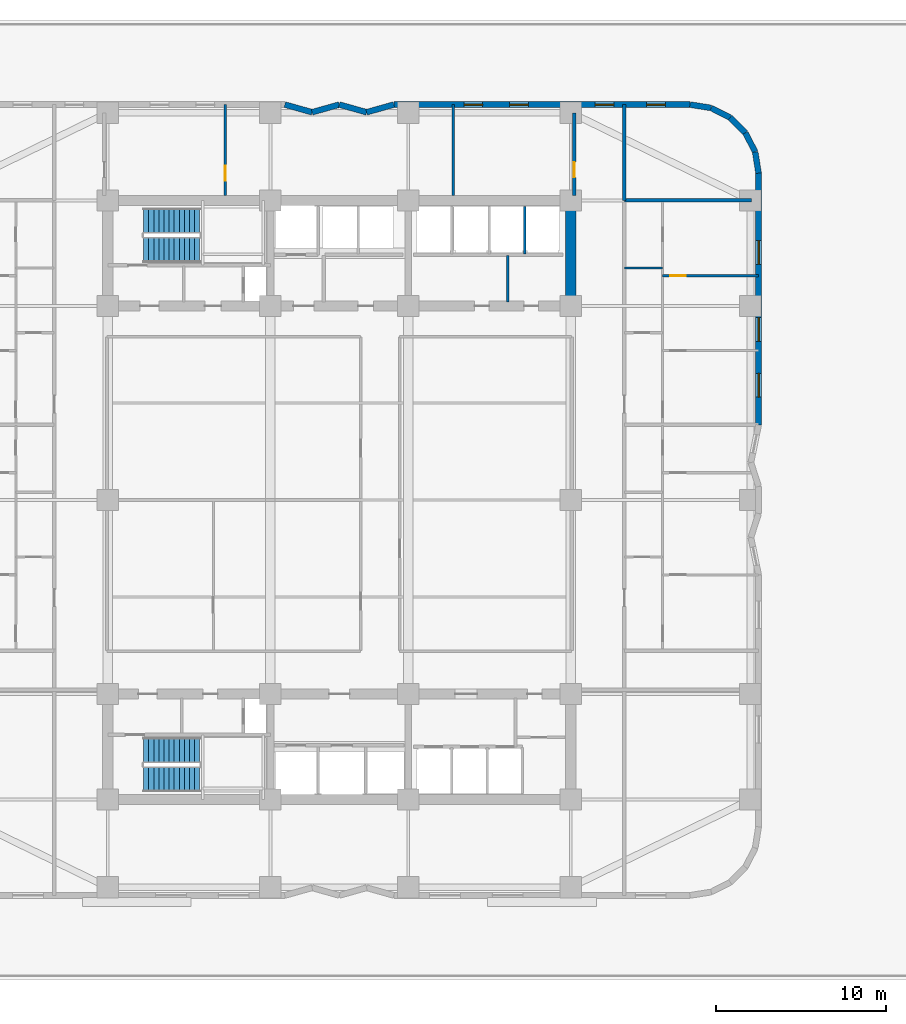
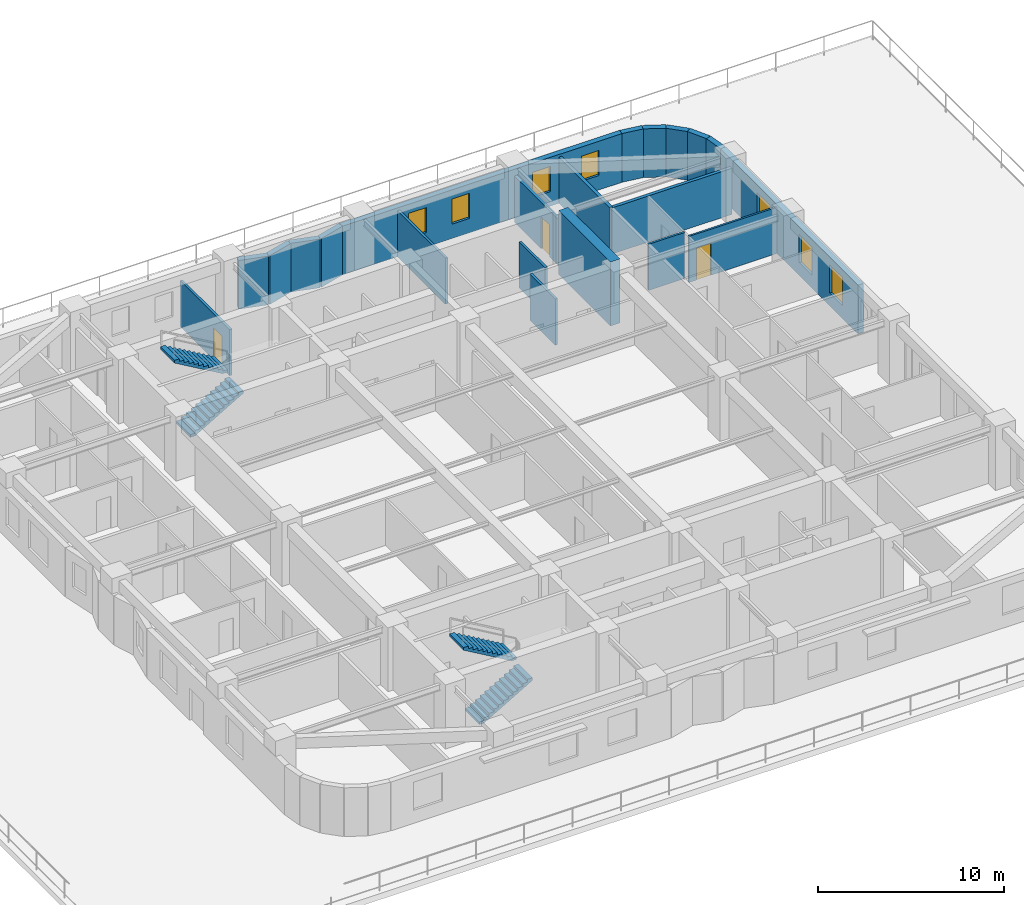
# One storey, part 7 of 11: 21 walls, 7 windows, 4 stair flights, 3 doors, 10 openings, 2 elements without a shape of their own.
"""IFC4 building model written with IfcOpenShell, lengths in metres."""

from ifc_helpers import new_model, si_unit, direction, frame, frame_2d, origin, place, context, subcontext, project, spatial, polyline, rectangle, outline, extrude, material, layer, layer_set, type_object, element, fill, aggregate, save


model = new_model("IFC4")

# Units and contexts
model_context = context("Model", 3, precision=1e-05, world=origin(), true_north=direction((0.0, 1.0)))
body_context = subcontext(model_context, "Body", "Model", "MODEL_VIEW")
ifc_project = project(units=[si_unit("LENGTHUNIT", "METRE"), si_unit("AREAUNIT", "SQUARE_METRE"), si_unit("VOLUMEUNIT", "CUBIC_METRE"), si_unit("PLANEANGLEUNIT", "RADIAN"), si_unit("MASSUNIT", "GRAM", prefix="KILO")], contexts=[model_context])

# Site, building, storey
site_placement = place(None, origin())
site = spatial("IfcSite", under=ifc_project, at=site_placement, CompositionType="ELEMENT")
building_placement = place(site_placement, origin())
building = spatial("IfcBuilding", under=site, at=building_placement, Name="Svetorya Sky Lyceum", CompositionType="ELEMENT")
storey_placement = place(building_placement, frame((0.0, 0.0, 24.60009765625)))
storey = spatial("IfcBuildingStorey", under=building, at=storey_placement, Name="L05", CompositionType="ELEMENT", Elevation=24.60009765625)

# Wall
ifc_material_1 = material(Name="Concrete C60/75", Category="concrete")
ifc_layer_1 = layer(ifc_material_1, 0.60009765625)
ifc_layer_set_1 = layer_set([ifc_layer_1], Name="Concrete C60/75")
wall_type_1 = type_object("IfcWallType", Name="WL-CORE-600", PredefinedType="SHEAR", material=ifc_layer_set_1)
wall_1_placement = place(storey_placement, frame((52.800048828125, 39.89990234375, 0.0), z_axis=(0.0, 0.0, 1.0), x_axis=(0.0, 1.0, 0.0)))
element("IfcWall", 1, at=wall_1_placement, inside=storey, type_object=wall_type_1, Name="L05 NC East Core Shear Wall", PredefinedType="SHEAR", context=body_context, shape_type="SweptSolid", body=[
    extrude(rectangle(XDim=5.60009765625, YDim=0.60009765625, at=frame_2d((2.800048828125, 0.0))), origin(), (0.0, 0.0, 1.0), 4.199951171875),
])

# Wall, openings, windows
ifc_material_2 = material(Name="Putilovo limestone rainscreen on autoclaved cellular masonry", Category="masonry")
ifc_layer_2 = layer(ifc_material_2, 0.340087890625)
ifc_layer_set_2 = layer_set([ifc_layer_2], Name="Putilovo limestone rainscreen on autoclaved cellular masonry")
wall_type_2 = type_object("IfcWallType", Name="WL-EXT-340", PredefinedType="SOLIDWALL", material=ifc_layer_set_2)
wall_2_placement = place(storey_placement, frame((63.830078125, 32.60009765625, 0.0), z_axis=(0.0, 0.0, 1.0), x_axis=(0.0, 1.0, 0.0)))
wall_2 = element("IfcWall", 2, at=wall_2_placement, inside=storey, type_object=wall_type_2, Name="L05 Limestone Exterior Wall 23M", PredefinedType="SOLIDWALL", context=body_context, shape_type="SweptSolid", body=[
    extrude(rectangle(XDim=14.7998046875, YDim=0.340087890625, at=frame_2d((7.39990234375, 0.0))), origin(), (0.0, 0.0, 1.0), 3.199951171875),
])
opening_1_placement = place(wall_2_placement, frame((1.637451171875, 0.0, 0.85009765625)))
opening_1 = element("IfcOpeningElement", 3, at=opening_1_placement, cuts=wall_2, Name="Opening W-R2", PredefinedType="OPENING", context=body_context, shape_type="SweptSolid", body=[
    extrude(rectangle(XDim=1.39990234375, YDim=1.85009765625, at=frame_2d((0.699951171875, 0.925048828125))), frame((0.0, 0.179931640625, 0.0), z_axis=(0.0, -1.0, 0.0), x_axis=(1.0, 0.0, 0.0)), (0.0, 0.0, 1.0), 0.360107421875),
])
opening_2_placement = place(wall_2_placement, frame((4.919921875, 0.0, 0.85009765625)))
opening_2 = element("IfcOpeningElement", 4, at=opening_2_placement, cuts=wall_2, Name="Opening W-R2", PredefinedType="OPENING", context=body_context, shape_type="SweptSolid", body=[
    extrude(rectangle(XDim=1.39990234375, YDim=1.85009765625, at=frame_2d((0.699951171875, 0.925048828125))), frame((0.0, 0.179931640625, 0.0), z_axis=(0.0, -1.0, 0.0), x_axis=(1.0, 0.0, 0.0)), (0.0, 0.0, 1.0), 0.360107421875),
])
opening_3_placement = place(wall_2_placement, frame((9.4375, 0.0, 0.85009765625)))
opening_3 = element("IfcOpeningElement", 5, at=opening_3_placement, cuts=wall_2, Name="Opening W-R2", PredefinedType="OPENING", context=body_context, shape_type="SweptSolid", body=[
    extrude(rectangle(XDim=1.39990234375, YDim=1.85009765625, at=frame_2d((0.699951171875, 0.925048828125))), frame((0.0, 0.179931640625, 0.0), z_axis=(0.0, -1.0, 0.0), x_axis=(1.0, 0.0, 0.0)), (0.0, 0.0, 1.0), 0.360107421875),
])
ifc_material_3 = material(Name="Thermally broken aluminium frame with triple low-E glazing", Category="aluminium")
window_type_1 = type_object("IfcWindowType", Name="WN-RES-140", PartitioningType="SINGLE_PANEL", PredefinedType="WINDOW", material=ifc_material_3)
window_1_placement = place(opening_1_placement, origin())
window_1 = element("IfcWindow", 6, at=window_1_placement, inside=storey, type_object=window_type_1, Name="L05 Facade Window W-R2.23M.1", OverallHeight=1.85009765625, OverallWidth=1.39990234375, PartitioningType="SINGLE_PANEL", PredefinedType="WINDOW", context=body_context, shape_type="SweptSolid", body=[
    extrude(rectangle(XDim=1.39990234375, YDim=1.85009765625, at=frame_2d((0.699951171875, 0.925048828125))), frame((0.0, 0.030029296875, 0.0), z_axis=(0.0, -1.0, 0.0), x_axis=(1.0, 0.0, 0.0)), (0.0, 0.0, 1.0), 0.06005859375),
])
fill(opening_1, window_1)
window_2_placement = place(opening_2_placement, origin())
window_2 = element("IfcWindow", 7, at=window_2_placement, inside=storey, type_object=window_type_1, Name="L05 Facade Window W-R2.23M.3", OverallHeight=1.85009765625, OverallWidth=1.39990234375, PartitioningType="SINGLE_PANEL", PredefinedType="WINDOW", context=body_context, shape_type="SweptSolid", body=[
    extrude(rectangle(XDim=1.39990234375, YDim=1.85009765625, at=frame_2d((0.699951171875, 0.925048828125))), frame((0.0, 0.030029296875, 0.0), z_axis=(0.0, -1.0, 0.0), x_axis=(1.0, 0.0, 0.0)), (0.0, 0.0, 1.0), 0.06005859375),
])
fill(opening_2, window_2)
window_3_placement = place(opening_3_placement, origin())
window_3 = element("IfcWindow", 8, at=window_3_placement, inside=storey, type_object=window_type_1, Name="L05 Facade Window W-R2.23M.2", OverallHeight=1.85009765625, OverallWidth=1.39990234375, PartitioningType="SINGLE_PANEL", PredefinedType="WINDOW", context=body_context, shape_type="SweptSolid", body=[
    extrude(rectangle(XDim=1.39990234375, YDim=1.85009765625, at=frame_2d((0.699951171875, 0.925048828125))), frame((0.0, 0.030029296875, 0.0), z_axis=(0.0, -1.0, 0.0), x_axis=(1.0, 0.0, 0.0)), (0.0, 0.0, 1.0), 0.06005859375),
])
fill(opening_3, window_3)

# Walls
for number, where, z_axis, x_axis, name in (
    (9, (63.830078125, 47.39990234375, 0.0), (0.0, 0.0, 1.0), (-0.15644975923, 0.987685918112, 0.0), "L05 Limestone Exterior Wall 24M"),
    (10, (63.6328125, 48.645263671875, 0.0), (0.0, 0.0, 1.0), (-0.454015689056, 0.890993689142, 0.0), "L05 Limestone Exterior Wall 25M"),
    (11, (63.060302734375, 49.768798828125, 0.0), (0.0, 0.0, 1.0), (-0.707106781187, 0.707106781187, 0.0), "L05 Limestone Exterior Wall 26M"),
):
    element("IfcWall", number, at=place(storey_placement, frame(where, z_axis=z_axis, x_axis=x_axis)), inside=storey, type_object=wall_type_2, Name=name, PredefinedType="SOLIDWALL", context=body_context, shape_type="SweptSolid", body=[
        extrude(rectangle(XDim=1.260986328125, YDim=0.340087890625, at=frame_2d((0.63037109375, 0.0))), origin(), (0.0, 0.0, 1.0), 3.199951171875),
    ])
for number, where, z_axis, x_axis, name in (
    (12, (62.168701171875, 50.660400390625, 0.0), (0.0, 0.0, 1.0), (-0.890953769915, 0.454094020963, 0.0), "L05 Limestone Exterior Wall 27M"),
    (13, (61.04541015625, 51.23291015625, 0.0), (0.0, 0.0, 1.0), (-0.98771582066, 0.156260864002, 0.0), "L05 Limestone Exterior Wall 28M"),
):
    element("IfcWall", number, at=place(storey_placement, frame(where, z_axis=z_axis, x_axis=x_axis)), inside=storey, type_object=wall_type_2, Name=name, PredefinedType="SOLIDWALL", context=body_context, shape_type="SweptSolid", body=[
        extrude(rectangle(XDim=1.2607421875, YDim=0.340087890625, at=frame_2d((0.63037109375, 0.0))), origin(), (0.0, 0.0, 1.0), 3.199951171875),
    ])

# Wall, openings, windows
wall_3_placement = place(storey_placement, frame((59.800048828125, 51.429931640625, 0.0), z_axis=(0.0, 0.0, 1.0), x_axis=(-1.0, 0.0, 0.0)))
wall_3 = element("IfcWall", 14, at=wall_3_placement, inside=storey, type_object=wall_type_2, Name="L05 Limestone Exterior Wall 29M", PredefinedType="SOLIDWALL", context=body_context, shape_type="SweptSolid", body=[
    extrude(rectangle(XDim=17.400146484375, YDim=0.340087890625, at=frame_2d((8.7001953125, 0.0))), origin(), (0.0, 0.0, 1.0), 3.199951171875),
])
opening_4_placement = place(wall_3_placement, frame((1.441650390625, 0.0, 0.949951171875)))
opening_4 = element("IfcOpeningElement", 15, at=opening_4_placement, cuts=wall_3, Name="Opening W-R3", PredefinedType="OPENING", context=body_context, shape_type="SweptSolid", body=[
    extrude(rectangle(XDim=1.10009765625, YDim=1.64990234375, at=frame_2d((0.550048828125, 0.824951171875))), frame((0.0, 0.179931640625, 0.0), z_axis=(0.0, -1.0, 0.0), x_axis=(1.0, 0.0, 0.0)), (0.0, 0.0, 1.0), 0.360107421875),
])
opening_5_placement = place(wall_3_placement, frame((4.47509765625, 0.0, 0.949951171875)))
opening_5 = element("IfcOpeningElement", 16, at=opening_5_placement, cuts=wall_3, Name="Opening W-R3", PredefinedType="OPENING", context=body_context, shape_type="SweptSolid", body=[
    extrude(rectangle(XDim=1.10009765625, YDim=1.64990234375, at=frame_2d((0.550048828125, 0.824951171875))), frame((0.0, 0.179931640625, 0.0), z_axis=(0.0, -1.0, 0.0), x_axis=(1.0, 0.0, 0.0)), (0.0, 0.0, 1.0), 0.360107421875),
])
opening_6_placement = place(wall_3_placement, frame((9.49169921875, 0.0, 0.949951171875)))
opening_6 = element("IfcOpeningElement", 17, at=opening_6_placement, cuts=wall_3, Name="Opening W-R3", PredefinedType="OPENING", context=body_context, shape_type="SweptSolid", body=[
    extrude(rectangle(XDim=1.10009765625, YDim=1.64990234375, at=frame_2d((0.550048828125, 0.824951171875))), frame((0.0, 0.179931640625, 0.0), z_axis=(0.0, -1.0, 0.0), x_axis=(1.0, 0.0, 0.0)), (0.0, 0.0, 1.0), 0.360107421875),
])
opening_7_placement = place(wall_3_placement, frame((12.175048828125, 0.0, 0.949951171875)))
opening_7 = element("IfcOpeningElement", 18, at=opening_7_placement, cuts=wall_3, Name="Opening W-R3", PredefinedType="OPENING", context=body_context, shape_type="SweptSolid", body=[
    extrude(rectangle(XDim=1.10009765625, YDim=1.64990234375, at=frame_2d((0.550048828125, 0.824951171875))), frame((0.0, 0.179931640625, 0.0), z_axis=(0.0, -1.0, 0.0), x_axis=(1.0, 0.0, 0.0)), (0.0, 0.0, 1.0), 0.360107421875),
])
window_type_2 = type_object("IfcWindowType", Name="WN-RES-110", PartitioningType="SINGLE_PANEL", PredefinedType="WINDOW", material=ifc_material_3)
window_4_placement = place(opening_4_placement, origin())
window_4 = element("IfcWindow", 19, at=window_4_placement, inside=storey, type_object=window_type_2, Name="L05 Facade Window W-R3.29M.1", OverallHeight=1.64990234375, OverallWidth=1.10009765625, PartitioningType="SINGLE_PANEL", PredefinedType="WINDOW", context=body_context, shape_type="SweptSolid", body=[
    extrude(rectangle(XDim=1.10009765625, YDim=1.64990234375, at=frame_2d((0.550048828125, 0.824951171875))), frame((0.0, 0.030029296875, 0.0), z_axis=(0.0, -1.0, 0.0), x_axis=(1.0, 0.0, 0.0)), (0.0, 0.0, 1.0), 0.06005859375),
])
fill(opening_4, window_4)
window_5_placement = place(opening_5_placement, origin())
window_5 = element("IfcWindow", 20, at=window_5_placement, inside=storey, type_object=window_type_2, Name="L05 Facade Window W-R3.29M.2", OverallHeight=1.64990234375, OverallWidth=1.10009765625, PartitioningType="SINGLE_PANEL", PredefinedType="WINDOW", context=body_context, shape_type="SweptSolid", body=[
    extrude(rectangle(XDim=1.10009765625, YDim=1.64990234375, at=frame_2d((0.550048828125, 0.824951171875))), frame((0.0, 0.030029296875, 0.0), z_axis=(0.0, -1.0, 0.0), x_axis=(1.0, 0.0, 0.0)), (0.0, 0.0, 1.0), 0.06005859375),
])
fill(opening_5, window_5)
window_6_placement = place(opening_6_placement, origin())
window_6 = element("IfcWindow", 21, at=window_6_placement, inside=storey, type_object=window_type_2, Name="L05 Facade Window W-R3.29M.3", OverallHeight=1.64990234375, OverallWidth=1.10009765625, PartitioningType="SINGLE_PANEL", PredefinedType="WINDOW", context=body_context, shape_type="SweptSolid", body=[
    extrude(rectangle(XDim=1.10009765625, YDim=1.64990234375, at=frame_2d((0.550048828125, 0.824951171875))), frame((0.0, 0.030029296875, 0.0), z_axis=(0.0, -1.0, 0.0), x_axis=(1.0, 0.0, 0.0)), (0.0, 0.0, 1.0), 0.06005859375),
])
fill(opening_6, window_6)
window_7_placement = place(opening_7_placement, origin())
window_7 = element("IfcWindow", 22, at=window_7_placement, inside=storey, type_object=window_type_2, Name="L05 Facade Window W-R3.29M.4", OverallHeight=1.64990234375, OverallWidth=1.10009765625, PartitioningType="SINGLE_PANEL", PredefinedType="WINDOW", context=body_context, shape_type="SweptSolid", body=[
    extrude(rectangle(XDim=1.10009765625, YDim=1.64990234375, at=frame_2d((0.550048828125, 0.824951171875))), frame((0.0, 0.030029296875, 0.0), z_axis=(0.0, -1.0, 0.0), x_axis=(1.0, 0.0, 0.0)), (0.0, 0.0, 1.0), 0.06005859375),
])
fill(opening_7, window_7)

# Walls
wall_4_placement = place(storey_placement, frame((42.39990234375, 51.429931640625, 0.0), z_axis=(0.0, 0.0, 1.0), x_axis=(-0.962652136636, -0.270741322725, 0.0)))
element("IfcWall", 23, at=wall_4_placement, inside=storey, type_object=wall_type_2, Name="L05 Limestone Exterior Wall 30M", PredefinedType="SOLIDWALL", context=body_context, shape_type="SweptSolid", body=[
    extrude(rectangle(XDim=1.661865234375, YDim=0.340087890625, at=frame_2d((0.8310546875, 0.0))), origin(), (0.0, 0.0, 1.0), 3.199951171875),
])
wall_5_placement = place(storey_placement, frame((40.800048828125, 50.97998046875, 0.0), z_axis=(0.0, 0.0, 1.0), x_axis=(-0.962662902433, 0.270703040766, 0.0)))
element("IfcWall", 24, at=wall_5_placement, inside=storey, type_object=wall_type_2, Name="L05 Limestone Exterior Wall 31M", PredefinedType="SOLIDWALL", context=body_context, shape_type="SweptSolid", body=[
    extrude(rectangle(XDim=1.662109375, YDim=0.340087890625, at=frame_2d((0.8310546875, 0.0))), origin(), (0.0, 0.0, 1.0), 3.199951171875),
])
wall_6_placement = place(storey_placement, frame((39.199951171875, 51.429931640625, 0.0), z_axis=(0.0, 0.0, 1.0), x_axis=(-0.962652136636, -0.270741322725, 0.0)))
element("IfcWall", 25, at=wall_6_placement, inside=storey, type_object=wall_type_2, Name="L05 Limestone Exterior Wall 32M", PredefinedType="SOLIDWALL", context=body_context, shape_type="SweptSolid", body=[
    extrude(rectangle(XDim=1.661865234375, YDim=0.340087890625, at=frame_2d((0.8310546875, 0.0))), origin(), (0.0, 0.0, 1.0), 3.199951171875),
])
wall_7_placement = place(storey_placement, frame((37.60009765625, 50.97998046875, 0.0), z_axis=(0.0, 0.0, 1.0), x_axis=(-0.962662902433, 0.270703040766, 0.0)))
element("IfcWall", 26, at=wall_7_placement, inside=storey, type_object=wall_type_2, Name="L05 Limestone Exterior Wall 33M", PredefinedType="SOLIDWALL", context=body_context, shape_type="SweptSolid", body=[
    extrude(rectangle(XDim=1.662109375, YDim=0.340087890625, at=frame_2d((0.8310546875, 0.0))), origin(), (0.0, 0.0, 1.0), 3.199951171875),
])

# Wall, opening, door
ifc_material_4 = material(Name="Twin-stud galvanized framing with double fireboard", Category="gypsum")
ifc_layer_3 = layer(ifc_material_4, 0.1201171875)
ifc_layer_set_3 = layer_set([ifc_layer_3], Name="Twin-stud galvanized framing with double fireboard")
wall_type_3 = type_object("IfcWallType", Name="WL-PART-120", PredefinedType="PARTITIONING", material=ifc_layer_set_3)
wall_8_placement = place(storey_placement, frame((58.199951171875, 41.375, 0.0), z_axis=(0.0, 0.0, 1.0), x_axis=(1.0, 0.0, 0.0)))
wall_8 = element("IfcWall", 27, at=wall_8_placement, inside=storey, type_object=wall_type_3, Name="L05 Interior Partition E2-WL2", PredefinedType="PARTITIONING", context=body_context, shape_type="SweptSolid", body=[
    extrude(rectangle(XDim=5.630126953125, YDim=0.1201171875, at=frame_2d((2.81494140625, 0.0))), origin(), (0.0, 0.0, 1.0), 3.02978515625),
])
opening_8_placement = place(wall_8_placement, frame((0.449951171875, 0.0, 0.0)))
opening_8 = element("IfcOpeningElement", 28, at=opening_8_placement, cuts=wall_8, Name="Opening D-RM1", PredefinedType="OPENING", context=body_context, shape_type="SweptSolid", body=[
    extrude(rectangle(XDim=0.89990234375, YDim=2.10009765625, at=frame_2d((0.449951171875, 1.050048828125))), frame((0.0, 0.070068359375, 0.0), z_axis=(0.0, -1.0, 0.0), x_axis=(1.0, 0.0, 0.0)), (0.0, 0.0, 1.0), 0.14013671875),
])
ifc_material_5 = material(Name="Lacquered birch veneer internal door")
door_type = type_object("IfcDoorType", Name="DR-INT-900", OperationType="SINGLE_SWING_LEFT", PredefinedType="DOOR", material=ifc_material_5)
door_1_placement = place(opening_8_placement, origin())
door_1 = element("IfcDoor", 29, at=door_1_placement, inside=storey, type_object=door_type, Name="Apartment E2 Bedroom 2 Door", OperationType="SINGLE_SWING_RIGHT", OverallHeight=2.10009765625, OverallWidth=0.89990234375, PredefinedType="DOOR", context=body_context, shape_type="SweptSolid", body=[
    extrude(rectangle(XDim=0.89990234375, YDim=2.10009765625, at=frame_2d((0.449951171875, 1.050048828125))), frame((0.0, 0.02490234375, 0.0), z_axis=(0.0, -1.0, 0.0), x_axis=(1.0, 0.0, 0.0)), (0.0, 0.0, 1.0), 0.050048828125),
])
fill(opening_8, door_1)

# Walls
ifc_material_6 = material(Name="Twin-stud galvanized framing with acoustic board", Category="gypsum")
ifc_layer_4 = layer(ifc_material_6, 0.135009765625)
ifc_layer_set_4 = layer_set([ifc_layer_4], Name="Twin-stud galvanized framing with acoustic board")
wall_type_4 = type_object("IfcWallType", Name="WL-PART-135", PredefinedType="PARTITIONING", material=ifc_layer_set_4)
wall_9_placement = place(storey_placement, frame((55.949951171875, 41.824951171875, 0.0), z_axis=(0.0, 0.0, 1.0), x_axis=(1.0, 0.0, 0.0)))
element("IfcWall", 30, at=wall_9_placement, inside=storey, type_object=wall_type_4, Name="L05 Interior Partition E2-WH2", PredefinedType="PARTITIONING", context=body_context, shape_type="SweptSolid", body=[
    extrude(rectangle(XDim=2.25, YDim=0.135009765625, at=frame_2d((1.125, 0.0))), origin(), (0.0, 0.0, 1.0), 3.02978515625),
])
ifc_material_7 = material(Name="Autoclaved cellular masonry blockwork with acoustic render", Category="masonry")
ifc_layer_5 = layer(ifc_material_7, 0.14990234375)
ifc_layer_set_5 = layer_set([ifc_layer_5], Name="Autoclaved cellular masonry blockwork with acoustic render")
wall_type_5 = type_object("IfcWallType", Name="WL-PART-150", PredefinedType="PARTITIONING", material=ifc_layer_set_5)
wall_10_placement = place(storey_placement, frame((50.10009765625, 42.64990234375, 0.0), z_axis=(0.0, 0.0, 1.0), x_axis=(0.0, 1.0, 0.0)))
element("IfcWall", 31, at=wall_10_placement, inside=storey, type_object=wall_type_5, Name="L05 Interior Partition NC-PH-D2", PredefinedType="PARTITIONING", context=body_context, shape_type="SweptSolid", body=[
    extrude(rectangle(XDim=2.800048828125, YDim=0.14990234375, at=frame_2d((1.39990234375, 0.0))), origin(), (0.0, 0.0, 1.0), 3.02978515625),
])
wall_11_placement = place(storey_placement, frame((49.10009765625, 39.820068359375, 0.0), z_axis=(0.0, 0.0, 1.0), x_axis=(0.0, 1.0, 0.0)))
element("IfcWall", 32, at=wall_11_placement, inside=storey, type_object=wall_type_5, Name="L05 Interior Partition NC-EDH", PredefinedType="PARTITIONING", context=body_context, shape_type="SweptSolid", body=[
    extrude(rectangle(XDim=2.72998046875, YDim=0.14990234375, at=frame_2d((1.364990234375, 0.0))), origin(), (0.0, 0.0, 1.0), 3.02978515625),
])

# Wall, opening, door
wall_12_placement = place(storey_placement, frame((32.5, 46.10009765625, 0.0), z_axis=(0.0, 0.0, 1.0), x_axis=(0.0, 1.0, 0.0)))
wall_12 = element("IfcWall", 33, at=wall_12_placement, inside=storey, type_object=wall_type_5, Name="L05 Interior Partition N-D1", PredefinedType="PARTITIONING", context=body_context, shape_type="SweptSolid", body=[
    extrude(rectangle(XDim=5.329833984375, YDim=0.14990234375, at=frame_2d((2.6650390625, 0.0))), origin(), (0.0, 0.0, 1.0), 3.02978515625),
])
opening_9_placement = place(wall_12_placement, frame((0.85009765625, 0.0, 0.0)))
opening_9 = element("IfcOpeningElement", 34, at=opening_9_placement, cuts=wall_12, Name="Opening D-RM1", PredefinedType="OPENING", context=body_context, shape_type="SweptSolid", body=[
    extrude(rectangle(XDim=0.89990234375, YDim=2.10009765625, at=frame_2d((0.449951171875, 1.050048828125))), frame((0.0, 0.0849609375, 0.0), z_axis=(0.0, -1.0, 0.0), x_axis=(1.0, 0.0, 0.0)), (0.0, 0.0, 1.0), 0.169921875),
])
door_2_placement = place(opening_9_placement, origin())
door_2 = element("IfcDoor", 35, at=door_2_placement, inside=storey, type_object=door_type, Name="L05 North Store Door", OperationType="SINGLE_SWING_RIGHT", OverallHeight=2.10009765625, OverallWidth=0.89990234375, PredefinedType="DOOR", context=body_context, shape_type="SweptSolid", body=[
    extrude(rectangle(XDim=0.89990234375, YDim=2.10009765625, at=frame_2d((0.449951171875, 1.050048828125))), frame((0.0, 0.02490234375, 0.0), z_axis=(0.0, -1.0, 0.0), x_axis=(1.0, 0.0, 0.0)), (0.0, 0.0, 1.0), 0.050048828125),
])
fill(opening_9, door_2)

# Walls
wall_13_placement = place(storey_placement, frame((45.89990234375, 46.10009765625, 0.0), z_axis=(0.0, 0.0, 1.0), x_axis=(0.0, 1.0, 0.0)))
element("IfcWall", 36, at=wall_13_placement, inside=storey, type_object=wall_type_5, Name="L05 Interior Partition N-D2", PredefinedType="PARTITIONING", context=body_context, shape_type="SweptSolid", body=[
    extrude(rectangle(XDim=5.329833984375, YDim=0.14990234375, at=frame_2d((2.6650390625, 0.0))), origin(), (0.0, 0.0, 1.0), 3.02978515625),
])
ifc_material_8 = material(Name="Autoclaved cellular masonry blockwork with gypsum plaster", Category="masonry")
ifc_layer_6 = layer(ifc_material_8, 0.199951171875)
ifc_layer_set_6 = layer_set([ifc_layer_6], Name="Autoclaved cellular masonry blockwork with gypsum plaster")
wall_type_6 = type_object("IfcWallType", Name="WL-PART-200", PredefinedType="PARTITIONING", material=ifc_layer_set_6)
wall_14_placement = place(storey_placement, frame((55.949951171875, 45.800048828125, 0.0), z_axis=(0.0, 0.0, 1.0), x_axis=(1.0, 0.0, 0.0)))
element("IfcWall", 37, at=wall_14_placement, inside=storey, type_object=wall_type_6, Name="L05 Interior Partition E-CAP-N", PredefinedType="PARTITIONING", context=body_context, shape_type="SweptSolid", body=[
    extrude(rectangle(XDim=7.4599609375, YDim=0.199951171875, at=frame_2d((3.72998046875, 0.0))), origin(), (0.0, 0.0, 1.0), 3.02978515625),
])
wall_15_placement = place(storey_placement, frame((55.949951171875, 45.800048828125, 0.0), z_axis=(0.0, 0.0, 1.0), x_axis=(0.0, 1.0, 0.0)))
element("IfcWall", 38, at=wall_15_placement, inside=storey, type_object=wall_type_6, Name="L05 Interior Partition EC-NE-END", PredefinedType="PARTITIONING", context=body_context, shape_type="SweptSolid", body=[
    extrude(rectangle(XDim=5.6298828125, YDim=0.199951171875, at=frame_2d((2.81494140625, 0.0))), origin(), (0.0, 0.0, 1.0), 3.02978515625),
])

# Wall, opening, door
wall_16_placement = place(storey_placement, frame((53.0, 46.10009765625, 0.0), z_axis=(0.0, 0.0, 1.0), x_axis=(0.0, 1.0, 0.0)))
wall_16 = element("IfcWall", 39, at=wall_16_placement, inside=storey, type_object=wall_type_6, Name="L05 Interior Partition N-EE", PredefinedType="PARTITIONING", context=body_context, shape_type="SweptSolid", body=[
    extrude(rectangle(XDim=4.829833984375, YDim=0.199951171875, at=frame_2d((2.4150390625, 0.0))), origin(), (0.0, 0.0, 1.0), 3.02978515625),
])
opening_10_placement = place(wall_16_placement, frame((1.050048828125, 0.0, 0.0)))
opening_10 = element("IfcOpeningElement", 40, at=opening_10_placement, cuts=wall_16, Name="Opening D-RM1", PredefinedType="OPENING", context=body_context, shape_type="SweptSolid", body=[
    extrude(rectangle(XDim=0.89990234375, YDim=2.10009765625, at=frame_2d((0.449951171875, 1.050048828125))), frame((0.0, 0.10986328125, 0.0), z_axis=(0.0, -1.0, 0.0), x_axis=(1.0, 0.0, 0.0)), (0.0, 0.0, 1.0), 0.219970703125),
])
door_3_placement = place(opening_10_placement, origin())
door_3 = element("IfcDoor", 41, at=door_3_placement, inside=storey, type_object=door_type, Name="L05 North Meeting Door", OperationType="SINGLE_SWING_LEFT", OverallHeight=2.10009765625, OverallWidth=0.89990234375, PredefinedType="DOOR", context=body_context, shape_type="SweptSolid", body=[
    extrude(rectangle(XDim=0.89990234375, YDim=2.10009765625, at=frame_2d((0.449951171875, 1.050048828125))), frame((0.0, 0.02490234375, 0.0), z_axis=(0.0, -1.0, 0.0), x_axis=(1.0, 0.0, 0.0)), (0.0, 0.0, 1.0), 0.050048828125),
])
fill(opening_10, door_3)

# Stair, stair flights
ifc_material_9 = material(Name="Concrete C40/50", Category="concrete")
stair_type_1 = type_object("IfcStairType", Name="STR-ST-N", PredefinedType="HALF_TURN_STAIR", material=ifc_material_9)
stair_1_placement = place(storey_placement, origin())
stair_1 = element("IfcStair", 42, at=stair_1_placement, inside=storey, type_object=stair_type_1, Name="L05 North Core Smoke-Free Exit Stair N3", PredefinedType="HALF_TURN_STAIR")
stair_flight_type_1 = type_object("IfcStairFlightType", Name="SFL-ST-N", PredefinedType="STRAIGHT", material=ifc_material_9)
stair_flight_1_placement = place(storey_placement, frame((27.699951171875, 42.89990234375, 0.0), z_axis=(0.0, 0.0, 1.0), x_axis=(1.0, 0.0, 0.0)))
stair_flight_1 = element("IfcStairFlight", 43, at=stair_flight_1_placement, type_object=stair_flight_type_1, Name="ST-N flight 1", NumberOfRisers=12, NumberOfTreads=11, PredefinedType="STRAIGHT", RiserHeight=0.175, TreadLength=0.3, context=body_context, shape_type="SweptSolid", body=[
    extrude(outline(polyline([(0.0, 0.0), (0.0, 0.175048828125), (0.300048828125, 0.175048828125), (0.300048828125, 0.35009765625), (0.60009765625, 0.35009765625), (0.60009765625, 0.52490234375), (0.89990234375, 0.52490234375), (0.89990234375, 0.699951171875), (1.199951171875, 0.699951171875), (1.199951171875, 0.875), (1.5, 0.875), (1.5, 1.050048828125), (1.800048828125, 1.050048828125), (1.800048828125, 1.22509765625), (2.10009765625, 1.22509765625), (2.10009765625, 1.39990234375), (2.39990234375, 1.39990234375), (2.39990234375, 1.574951171875), (2.699951171875, 1.574951171875), (2.699951171875, 1.75), (3.0, 1.75), (3.0, 1.925048828125), (3.300048828125, 1.925048828125), (3.300048828125, 2.10009765625), (3.300048828125, 1.75146484375), (0.297607421875, 0.0), (0.0, 0.0)])), frame((0.0, 0.75, 0.0), z_axis=(0.0, -1.0, 0.0), x_axis=(1.0, 0.0, 0.0)), (0.0, 0.0, 1.0), 1.5),
])
stair_flight_2_placement = place(storey_placement, frame((31.0, 44.60009765625, 2.099853515625), z_axis=(0.0, 0.0, 1.0), x_axis=(-1.0, 0.0, 0.0)))
stair_flight_2 = element("IfcStairFlight", 44, at=stair_flight_2_placement, type_object=stair_flight_type_1, Name="ST-N flight 2", NumberOfRisers=12, NumberOfTreads=11, PredefinedType="STRAIGHT", RiserHeight=0.175, TreadLength=0.3, context=body_context, shape_type="SweptSolid", body=[
    extrude(outline(polyline([(0.0, 0.0), (0.0, 0.175048828125), (0.300048828125, 0.175048828125), (0.300048828125, 0.35009765625), (0.60009765625, 0.35009765625), (0.60009765625, 0.52490234375), (0.89990234375, 0.52490234375), (0.89990234375, 0.699951171875), (1.199951171875, 0.699951171875), (1.199951171875, 0.875), (1.5, 0.875), (1.5, 1.050048828125), (1.800048828125, 1.050048828125), (1.800048828125, 1.22509765625), (2.10009765625, 1.22509765625), (2.10009765625, 1.39990234375), (2.39990234375, 1.39990234375), (2.39990234375, 1.574951171875), (2.699951171875, 1.574951171875), (2.699951171875, 1.75), (3.0, 1.75), (3.0, 1.925048828125), (3.300048828125, 1.925048828125), (3.300048828125, 2.10009765625), (3.300048828125, 1.75146484375), (0.297607421875, 0.0), (0.0, 0.0)])), frame((0.0, 0.75, 0.0), z_axis=(0.0, -1.0, 0.0), x_axis=(1.0, 0.0, 0.0)), (0.0, 0.0, 1.0), 1.5),
])
aggregate(stair_1, [stair_flight_1, stair_flight_2])

stair_type_2 = type_object("IfcStairType", Name="STR-ST-S", PredefinedType="HALF_TURN_STAIR", material=ifc_material_9)
stair_2_placement = place(storey_placement, origin())
stair_2 = element("IfcStair", 45, at=stair_2_placement, inside=storey, type_object=stair_type_2, Name="L05 South Core Smoke-Free Exit Stair N2", PredefinedType="HALF_TURN_STAIR")
stair_flight_type_2 = type_object("IfcStairFlightType", Name="SFL-ST-S", PredefinedType="STRAIGHT", material=ifc_material_9)
stair_flight_3_placement = place(storey_placement, frame((27.699951171875, 11.800048828125, 0.0), z_axis=(0.0, 0.0, 1.0), x_axis=(1.0, 0.0, 0.0)))
stair_flight_3 = element("IfcStairFlight", 46, at=stair_flight_3_placement, type_object=stair_flight_type_2, Name="ST-S flight 1", NumberOfRisers=12, NumberOfTreads=11, PredefinedType="STRAIGHT", RiserHeight=0.175, TreadLength=0.3, context=body_context, shape_type="SweptSolid", body=[
    extrude(outline(polyline([(0.0, 0.0), (0.0, 0.175048828125), (0.300048828125, 0.175048828125), (0.300048828125, 0.35009765625), (0.60009765625, 0.35009765625), (0.60009765625, 0.52490234375), (0.89990234375, 0.52490234375), (0.89990234375, 0.699951171875), (1.199951171875, 0.699951171875), (1.199951171875, 0.875), (1.5, 0.875), (1.5, 1.050048828125), (1.800048828125, 1.050048828125), (1.800048828125, 1.22509765625), (2.10009765625, 1.22509765625), (2.10009765625, 1.39990234375), (2.39990234375, 1.39990234375), (2.39990234375, 1.574951171875), (2.699951171875, 1.574951171875), (2.699951171875, 1.75), (3.0, 1.75), (3.0, 1.925048828125), (3.300048828125, 1.925048828125), (3.300048828125, 2.10009765625), (3.300048828125, 1.75146484375), (0.297607421875, 0.0), (0.0, 0.0)])), frame((0.0, 0.75, 0.0), z_axis=(0.0, -1.0, 0.0), x_axis=(1.0, 0.0, 0.0)), (0.0, 0.0, 1.0), 1.5),
])
stair_flight_4_placement = place(storey_placement, frame((31.0, 13.5, 2.099853515625), z_axis=(0.0, 0.0, 1.0), x_axis=(-1.0, 0.0, 0.0)))
stair_flight_4 = element("IfcStairFlight", 47, at=stair_flight_4_placement, type_object=stair_flight_type_2, Name="ST-S flight 2", NumberOfRisers=12, NumberOfTreads=11, PredefinedType="STRAIGHT", RiserHeight=0.175, TreadLength=0.3, context=body_context, shape_type="SweptSolid", body=[
    extrude(outline(polyline([(0.0, 0.0), (0.0, 0.175048828125), (0.300048828125, 0.175048828125), (0.300048828125, 0.35009765625), (0.60009765625, 0.35009765625), (0.60009765625, 0.52490234375), (0.89990234375, 0.52490234375), (0.89990234375, 0.699951171875), (1.199951171875, 0.699951171875), (1.199951171875, 0.875), (1.5, 0.875), (1.5, 1.050048828125), (1.800048828125, 1.050048828125), (1.800048828125, 1.22509765625), (2.10009765625, 1.22509765625), (2.10009765625, 1.39990234375), (2.39990234375, 1.39990234375), (2.39990234375, 1.574951171875), (2.699951171875, 1.574951171875), (2.699951171875, 1.75), (3.0, 1.75), (3.0, 1.925048828125), (3.300048828125, 1.925048828125), (3.300048828125, 2.10009765625), (3.300048828125, 1.75146484375), (0.297607421875, 0.0), (0.0, 0.0)])), frame((0.0, 0.75, 0.0), z_axis=(0.0, -1.0, 0.0), x_axis=(1.0, 0.0, 0.0)), (0.0, 0.0, 1.0), 1.5),
])
aggregate(stair_2, [stair_flight_3, stair_flight_4])

save(model, "model.ifc")
